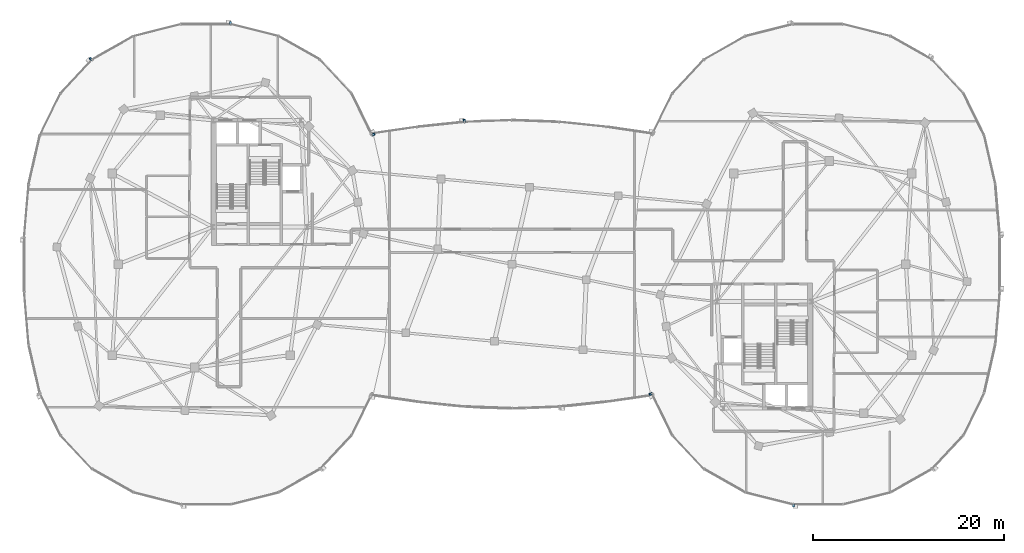
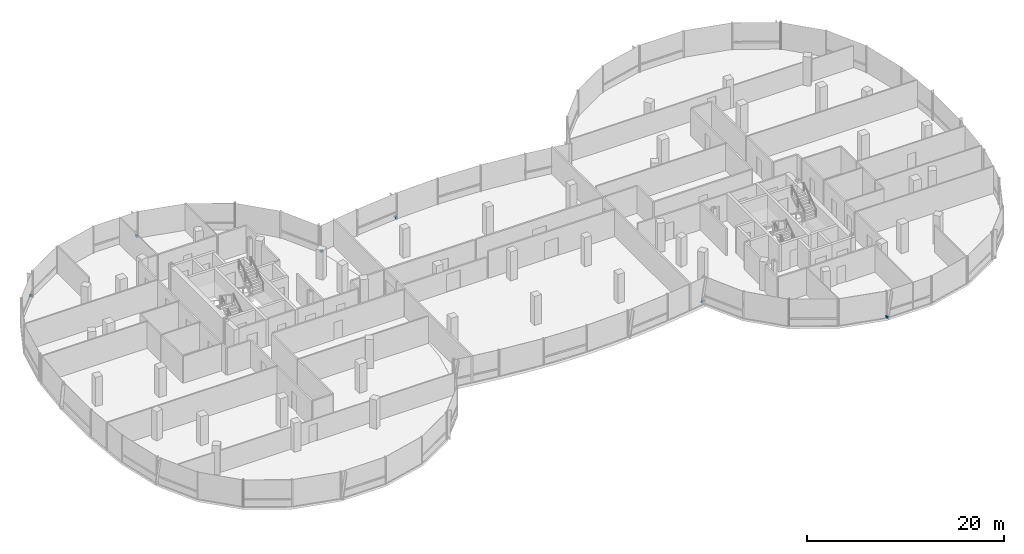
# One storey, part 19 of 26: 6 discrete accessories.
"""IFC4 building model written with IfcOpenShell, lengths in metres."""

from ifc_helpers import new_model, si_unit, direction, frame, origin, origin_2d, place, context, subcontext, project, spatial, rectangle, extrude, material, type_object, element, save


model = new_model("IFC4")

# Units and contexts
model_context = context("Model", 3, precision=1e-05, world=origin(), true_north=direction((0.0, 1.0)))
body_context = subcontext(model_context, "Body", "Model", "MODEL_VIEW")
ifc_project = project(units=[si_unit("LENGTHUNIT", "METRE"), si_unit("AREAUNIT", "SQUARE_METRE"), si_unit("VOLUMEUNIT", "CUBIC_METRE"), si_unit("PLANEANGLEUNIT", "RADIAN"), si_unit("MASSUNIT", "GRAM", prefix="KILO"), si_unit("THERMODYNAMICTEMPERATUREUNIT", "KELVIN"), si_unit("POWERUNIT", "WATT")], contexts=[model_context])

# Site, building, storey
site_placement = place(None, origin())
site = spatial("IfcSite", under=ifc_project, at=site_placement, CompositionType="ELEMENT")
building_placement = place(site_placement, origin())
building = spatial("IfcBuilding", under=site, at=building_placement, Name="Cundina Bronze Exchange", CompositionType="ELEMENT")
storey_placement = place(building_placement, frame((0.0, 0.0, 261.199951171875)))
storey = spatial("IfcBuildingStorey", under=building, at=storey_placement, Name="L69", CompositionType="ELEMENT", Elevation=261.199951171875)

# Discrete accessories
ifc_material = material(Name="Anodised Bronze Aluminium 6063-T6", Category="aluminium")
discrete_accessory_type = type_object("IfcDiscreteAccessoryType", Name="ACC-BRK-FIN", PredefinedType="BRACKET", material=ifc_material)
for number, where, z_axis, x_axis, name in (
    (1, (-14.505126953125, 13.565673828125, 0.10009765625), (0.0, 0.0, 1.0), (-0.440503330345, 0.897750976582, 0.0), "L69 Fin Support Bracket 1"),
    (2, (-29.423583984375, 25.25, 0.10009765625), (0.0, 0.0, 1.0), (-1.0, 0.0, 0.0), "L69 Fin Support Bracket 5"),
    (3, (-44.042236328125, 21.4755859375, 0.10009765625), (0.0, 0.0, 1.0), (-0.684343512797, -0.72915976061, 0.0), "L69 Fin Support Bracket 1"),
    (4, (14.505126953125, -13.565673828125, 0.10009765625), (0.0, 0.0, 1.0), (0.440503330345, -0.897750976582, 0.0), "L69 Fin Support Bracket 1"),
    (5, (29.423583984375, -25.25, 0.10009765625), (0.0, 0.0, 1.0), (1.0, 0.0, 0.0), "L69 Fin Support Bracket 5"),
    (6, (-5.003173828125, 15.01953125, 0.10009765625), (0.0, 0.0, 1.0), (-0.994672274174, -0.103087666525, 0.0), "L69 Fin Support Bracket 5"),
):
    element("IfcDiscreteAccessory", number, at=place(storey_placement, frame(where, z_axis=z_axis, x_axis=x_axis)), inside=storey, type_object=discrete_accessory_type, Name=name, PredefinedType="BRACKET", context=body_context, shape_type="SweptSolid", body=[
        extrude(rectangle(XDim=0.219970703125, YDim=0.320068359375, at=origin_2d()), origin(), (0.0, 0.0, 1.0), 0.239990234375),
    ])

save(model, "model.ifc")
